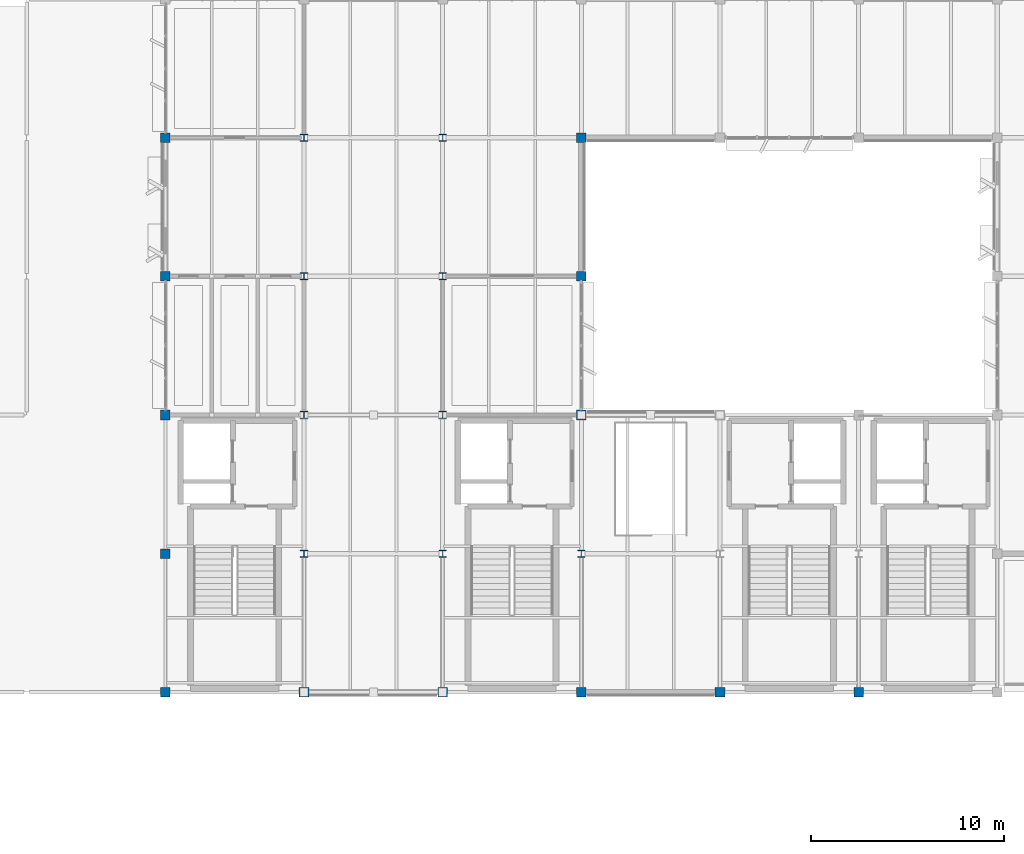
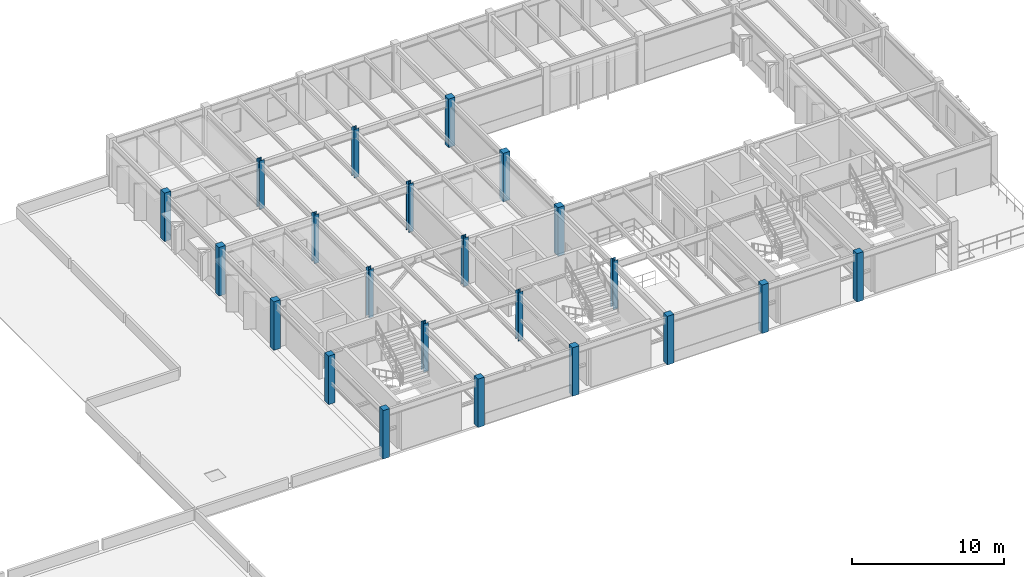
# One storey, part 1 of 23: 22 columns.
"""IFC4 building model written with IfcOpenShell, lengths in metres."""

from ifc_helpers import new_model, si_unit, direction, frame, origin, origin_2d, place, context, subcontext, project, spatial, rectangle, i_section, extrude, material, material_profile, profile_set, type_object, element, save


model = new_model("IFC4")

# Units and contexts
model_context = context("Model", 3, precision=1e-05, world=origin(), true_north=direction((0.0, 1.0)))
body_context = subcontext(model_context, "Body", "Model", "MODEL_VIEW")
ifc_project = project(units=[si_unit("LENGTHUNIT", "METRE"), si_unit("AREAUNIT", "SQUARE_METRE"), si_unit("VOLUMEUNIT", "CUBIC_METRE"), si_unit("PLANEANGLEUNIT", "RADIAN"), si_unit("MASSUNIT", "GRAM", prefix="KILO")], contexts=[model_context])

# Site, building, storey
site_placement = place(None, origin())
site = spatial("IfcSite", under=ifc_project, at=site_placement, CompositionType="ELEMENT")
building_placement = place(site_placement, origin())
building = spatial("IfcBuilding", under=site, at=building_placement, Name="Sillqori Civic Hall", CompositionType="ELEMENT")
storey_placement = place(building_placement, frame((0.0, 0.0, 21.89990234375)))
storey = spatial("IfcBuildingStorey", under=building, at=storey_placement, Name="L06", CompositionType="ELEMENT", Elevation=21.89990234375)

# Columns
ifc_material_1 = material(Name="Concrete C35/45 (H35)", Category="concrete")
ifc_material_profile_1 = material_profile(ifc_material_1, rectangle(XDim=0.5, YDim=0.5, at=origin_2d()), Name="RC 500x500")
ifc_profile_set_1 = profile_set([ifc_material_profile_1], Name="Concrete C35/45 (H35)")
column_type_1 = type_object("IfcColumnType", Name="COL-RC500", PredefinedType="COLUMN", material=ifc_profile_set_1)
for number, where, z_axis, x_axis, name in (
    (1, (50.39990234375, 79.199951171875, 0.0), (0.0, 0.0, 1.0), (1.0, 0.0, 0.0), "L06 column 7-11"),
    (2, (50.39990234375, 86.39990234375, 0.0), (0.0, 0.0, 1.0), (1.0, 0.0, 0.0), "L06 column 7-12"),
    (3, (50.39990234375, 93.60009765625, 0.0), (0.0, 0.0, 1.0), (1.0, 0.0, 0.0), "L06 column 7-13"),
    (4, (50.39990234375, 100.800048828125, 0.0), (0.0, 0.0, 1.0), (1.0, 0.0, 0.0), "L06 column 7-14"),
    (5, (50.39990234375, 108.0, 0.0), (0.0, 0.0, 1.0), (1.0, 0.0, 0.0), "L06 column 7-15"),
    (6, (57.60009765625, 79.199951171875, 0.0), (0.0, 0.0, 1.0), (1.0, 0.0, 0.0), "L06 column 8-11"),
    (7, (64.800048828125, 79.199951171875, 0.0), (0.0, 0.0, 1.0), (1.0, 0.0, 0.0), "L06 column 9-11"),
    (8, (72.0, 79.199951171875, 0.0), (0.0, 0.0, 1.0), (1.0, 0.0, 0.0), "L06 column 10-11"),
    (9, (72.0, 93.60009765625, 0.0), (0.0, 0.0, 1.0), (1.0, 0.0, 0.0), "L06 column 10-13"),
    (10, (72.0, 100.800048828125, 0.0), (0.0, 0.0, 1.0), (1.0, 0.0, 0.0), "L06 column 10-14"),
    (11, (72.0, 108.0, 0.0), (0.0, 0.0, 1.0), (1.0, 0.0, 0.0), "L06 column 10-15"),
    (12, (79.199951171875, 79.199951171875, 0.0), (0.0, 0.0, 1.0), (1.0, 0.0, 0.0), "L06 column 11-11"),
    (13, (86.39990234375, 79.199951171875, 0.0), (0.0, 0.0, 1.0), (1.0, 0.0, 0.0), "L06 column 12-11"),
):
    element("IfcColumn", number, at=place(storey_placement, frame(where, z_axis=z_axis, x_axis=x_axis)), inside=storey, type_object=column_type_1, Name=name, PredefinedType="COLUMN", context=body_context, shape_type="SweptSolid", body=[
        extrude(rectangle(XDim=0.5, YDim=0.5, at=origin_2d()), origin(), (0.0, 0.0, 1.0), 3.900146484375),
    ])
ifc_material_2 = material(Name="Steel ASTM A992", Category="steel")
ifc_material_profile_2 = material_profile(ifc_material_2, i_section(OverallWidth=0.37109375, OverallDepth=0.361083984375, WebThickness=0.012451171875, FlangeThickness=0.019775390625, FilletRadius=0.014892578125, at=origin_2d()), Name="W14X99")
ifc_profile_set_2 = profile_set([ifc_material_profile_2], Name="Steel ASTM A992")
column_type_2 = type_object("IfcColumnType", Name="COL-W14X99", PredefinedType="COLUMN", material=ifc_profile_set_2)
for number, where, z_axis, x_axis, name in (
    (14, (57.60009765625, 86.39990234375, 0.0), (0.0, 0.0, 1.0), (1.0, 0.0, 0.0), "L06 column 8-12"),
    (15, (57.60009765625, 93.60009765625, 0.0), (0.0, 0.0, 1.0), (1.0, 0.0, 0.0), "L06 column 8-13"),
    (16, (57.60009765625, 100.800048828125, 0.0), (0.0, 0.0, 1.0), (1.0, 0.0, 0.0), "L06 column 8-14"),
    (17, (57.60009765625, 108.0, 0.0), (0.0, 0.0, 1.0), (1.0, 0.0, 0.0), "L06 column 8-15"),
    (18, (64.800048828125, 86.39990234375, 0.0), (0.0, 0.0, 1.0), (1.0, 0.0, 0.0), "L06 column 9-12"),
    (19, (64.800048828125, 93.60009765625, 0.0), (0.0, 0.0, 1.0), (1.0, 0.0, 0.0), "L06 column 9-13"),
    (20, (64.800048828125, 100.800048828125, 0.0), (0.0, 0.0, 1.0), (1.0, 0.0, 0.0), "L06 column 9-14"),
    (21, (64.800048828125, 108.0, 0.0), (0.0, 0.0, 1.0), (1.0, 0.0, 0.0), "L06 column 9-15"),
    (22, (72.0, 86.39990234375, 0.0), (0.0, 0.0, 1.0), (1.0, 0.0, 0.0), "L06 column 10-12"),
):
    element("IfcColumn", number, at=place(storey_placement, frame(where, z_axis=z_axis, x_axis=x_axis)), inside=storey, type_object=column_type_2, Name=name, PredefinedType="COLUMN", context=body_context, shape_type="SweptSolid", body=[
        extrude(i_section(OverallWidth=0.37109375, OverallDepth=0.361083984375, WebThickness=0.012451171875, FlangeThickness=0.019775390625, FilletRadius=0.014892578125, at=origin_2d()), origin(), (0.0, 0.0, 1.0), 3.900146484375),
    ])

save(model, "model.ifc")
